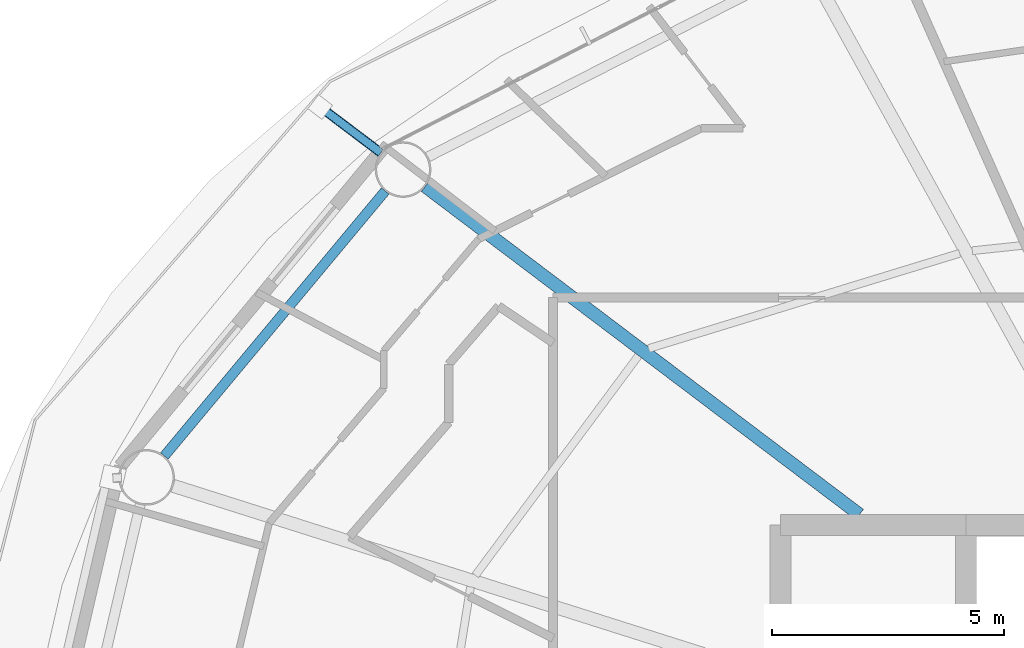
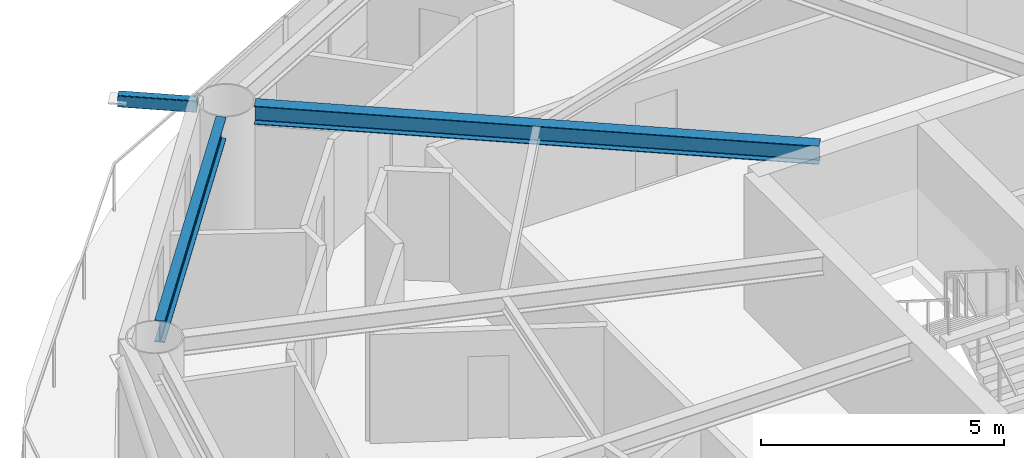
# One storey, part 10 of 27: 2 beams, 1 member.
"""IFC4 building model written with IfcOpenShell, lengths in metres."""

import ifcopenshell
import ifcopenshell.guid

model = None  # the IFC model being written
_history = None  # IfcOwnerHistory: only IFC2X3 demands one
_inside = {}  # id of a spatial element -> (the spatial element, [elements in it])
_under = {}  # id of a project, library or spatial element -> (it, [spatial elements below it])
_declared = {}  # id of a project -> (the project, [libraries it declares])
_typed = {}  # id of a type object -> (the type object, [elements of that type])
_made_of = {}  # id of a material, layer set ... -> (it, [elements and type objects made of it])


def new_model(schema):
    """Start an empty IFC model of exactly this schema.

    Asked for "IFC4X3", IfcOpenShell would pick the latest addendum, in which some entities
    have other attributes; the version numbers below select the first issue.
    IFC2X3 requires an IfcOwnerHistory on every rooted entity: one is made here for all.
    """
    global model, _history
    if schema == "IFC4X3":
        model = ifcopenshell.file(schema_version=(4, 3, 0, 0))
    else:
        model = ifcopenshell.file(schema=schema)
    _inside.clear()
    _under.clear()
    _declared.clear()
    _typed.clear()
    _made_of.clear()
    _history = None
    if model.schema == "IFC2X3":
        org = make("IfcOrganization", Name="unknown")
        user = make(
            "IfcPersonAndOrganization",
            ThePerson=make("IfcPerson", FamilyName="unknown"),
            TheOrganization=org,
        )
        app = make(
            "IfcApplication",
            ApplicationDeveloper=org,
            Version="unknown",
            ApplicationFullName="unknown",
            ApplicationIdentifier="unknown",
        )
        _history = make(
            "IfcOwnerHistory",
            OwningUser=user,
            OwningApplication=app,
            ChangeAction="ADDED",
            CreationDate=0,
        )
    return model


def make(cls, **values):
    """One entity of the class cls with the attributes given. An attribute that is None is left unset."""
    return model.create_entity(
        cls, **{name: value for name, value in values.items() if value is not None}
    )


def rooted(cls, **values):
    """An entity with a GlobalId (a new one), such as an element, a storey or a relation."""
    return make(cls, GlobalId=ifcopenshell.guid.new(), OwnerHistory=_history, **values)


def si_unit(unit_type, name, prefix=None):
    """IfcSIUnit, for example si_unit("LENGTHUNIT", "METRE", prefix="MILLI")."""
    return make("IfcSIUnit", UnitType=unit_type, Prefix=prefix, Name=name)


def assignment(units):
    """IfcUnitAssignment: the units of a project."""
    return None if units is None else make("IfcUnitAssignment", Units=units)


def point(xyz):
    """IfcCartesianPoint."""
    return None if xyz is None else make("IfcCartesianPoint", Coordinates=xyz)


def direction(xyz):
    """IfcDirection."""
    return None if xyz is None else make("IfcDirection", DirectionRatios=xyz)


def frame(location, z_axis=None, x_axis=None):
    """IfcAxis2Placement3D, a coordinate frame: its origin and axes. An axis left out is left unset."""
    return make(
        "IfcAxis2Placement3D",
        Location=point(location),
        Axis=direction(z_axis),
        RefDirection=direction(x_axis),
    )


def frame_2d(location, x_axis=None):
    """IfcAxis2Placement2D, a coordinate frame in the plane: its origin and x axis."""
    return make(
        "IfcAxis2Placement2D", Location=point(location), RefDirection=direction(x_axis)
    )


def origin():
    """The frame at (0, 0, 0) with its axes left unset."""
    return frame((0.0, 0.0, 0.0))


def origin_2d():
    """The frame at (0, 0) in the plane with its x axis left unset."""
    return frame_2d((0.0, 0.0))


def place(relative_to, where):
    """IfcLocalPlacement: puts the frame where relative to a parent placement (None: the world)."""
    return make(
        "IfcLocalPlacement", PlacementRelTo=relative_to, RelativePlacement=where
    )


def context(
    kind, dimensions, precision=None, world=None, true_north=None, identifier=None
):
    """IfcGeometricRepresentationContext, for example the 3D "Model" context."""
    return make(
        "IfcGeometricRepresentationContext",
        ContextIdentifier=identifier,
        ContextType=kind,
        CoordinateSpaceDimension=dimensions,
        Precision=precision,
        WorldCoordinateSystem=world,
        TrueNorth=true_north,
    )


def subcontext(parent, identifier, kind, view, scale=None):
    """IfcGeometricRepresentationSubContext, for example "Body" below "Model"."""
    return make(
        "IfcGeometricRepresentationSubContext",
        ContextIdentifier=identifier,
        ContextType=kind,
        ParentContext=parent,
        TargetScale=scale,
        TargetView=view,
    )


def project(units=None, contexts=None):
    """IfcProject with its units and contexts."""
    return rooted(
        "IfcProject",
        Name="project",
        RepresentationContexts=contexts,
        UnitsInContext=assignment(units),
    )


def spatial(cls, under=None, at=None, **own):
    """A site, building, storey or space (cls), placed at a placement, below another one or the project."""
    s = rooted(cls, ObjectPlacement=at, **own)
    if under is not None:
        _under.setdefault(under.id(), (under, []))[1].append(s)
    return s


def profile(cls, at=None, kind="AREA", **sizes):
    """A parametric profile (cls). Its sizes go by their IFC names, for example OverallWidth=200.0."""
    return make(cls, ProfileType=kind, Position=at, **sizes)


def hollow_rectangle(**sizes):
    """IfcRectangleHollowProfileDef."""
    return profile("IfcRectangleHollowProfileDef", **sizes)


def i_section(**sizes):
    """IfcIShapeProfileDef."""
    return profile("IfcIShapeProfileDef", **sizes)


def extrude(swept, where, along, depth):
    """IfcExtrudedAreaSolid: the profile swept, set in the frame where, extruded along a direction by depth."""
    return make(
        "IfcExtrudedAreaSolid",
        SweptArea=swept,
        Position=where,
        ExtrudedDirection=direction(along),
        Depth=depth,
    )


def shape(context_of_items, identifier, shape_type, items):
    """IfcShapeRepresentation: the items that make up one representation, for example the "Body"."""
    return make(
        "IfcShapeRepresentation",
        ContextOfItems=context_of_items,
        RepresentationIdentifier=identifier,
        RepresentationType=shape_type,
        Items=items,
    )


def material(Name=None, Category=None):
    """IfcMaterial."""
    return make("IfcMaterial", Name=Name, Category=Category)


def material_profile(
    of_material, cross_section, Name=None, Category=None, Priority=None
):
    """IfcMaterialProfile: a cross section and its material."""
    return make(
        "IfcMaterialProfile",
        Name=Name,
        Material=of_material,
        Profile=cross_section,
        Priority=Priority,
        Category=Category,
    )


def profile_set(profiles, Name=None, composite=None):
    """IfcMaterialProfileSet."""
    return make(
        "IfcMaterialProfileSet",
        Name=Name,
        MaterialProfiles=profiles,
        CompositeProfile=composite,
    )


def made_of(thing, what):
    """Note that an element or type object is made of a material, layer set ...; save() writes the relation."""
    if what is not None:
        _made_of.setdefault(what.id(), (what, []))[1].append(thing)
    return thing


def type_object(cls, material=None, **own):
    """A type object (cls), such as IfcWallType, which elements share."""
    return made_of(rooted(cls, **own), material)


def element(
    cls,
    number,
    at=None,
    inside=None,
    cuts=None,
    type_object=None,
    material=None,
    context=None,
    identifier="Body",
    shape_type=None,
    held_by="IfcProductDefinitionShape",
    body=None,
    shapes=None,
    **own,
):
    """One element of the class cls, such as IfcWall. Its Tag is "e" and its number.

    at: its placement. inside: the storey or other place that contains it. cuts: it is an
    opening in that element (IfcRelVoidsElement). A single representation is given by context,
    identifier, shape_type and body (its items); several are given by shapes. held_by: the class
    of the entity that holds the representations. save() writes the other relations.
    """
    e = rooted(cls, Tag="e%d" % number, ObjectPlacement=at, **own)
    if body is not None:
        shapes = [shape(context, identifier, shape_type, body)]
    if shapes is not None:
        e.Representation = make(held_by, Representations=shapes)
    if inside is not None:
        _inside.setdefault(inside.id(), (inside, []))[1].append(e)
    if cuts is not None:
        rooted(
            "IfcRelVoidsElement", RelatingBuildingElement=cuts, RelatedOpeningElement=e
        )
    if type_object is not None:
        _typed.setdefault(type_object.id(), (type_object, []))[1].append(e)
    return made_of(e, material)


def aggregate(whole, parts):
    """IfcRelAggregates: a whole, such as a stair, and the parts it consists of."""
    return rooted("IfcRelAggregates", RelatingObject=whole, RelatedObjects=parts)


def save(model, path):
    """Write the relations noted so far, then the file.

    IfcRelAggregates (storeys below a building ...), IfcRelContainedInSpatialStructure (elements
    in a storey), IfcRelDefinesByType, IfcRelAssociatesMaterial and IfcRelDeclares: one each for
    every whole, place, type object, material and project.
    """
    for whole, parts in _under.values():
        aggregate(whole, parts)
    for where, things in _inside.values():
        rooted(
            "IfcRelContainedInSpatialStructure",
            RelatedElements=things,
            RelatingStructure=where,
        )
    for kind, things in _typed.values():
        rooted("IfcRelDefinesByType", RelatedObjects=things, RelatingType=kind)
    for what, things in _made_of.values():
        rooted("IfcRelAssociatesMaterial", RelatedObjects=things, RelatingMaterial=what)
    for by, libraries in _declared.values():
        rooted("IfcRelDeclares", RelatingContext=by, RelatedDefinitions=libraries)
    model.write(path)


model = new_model("IFC4")

# Units and contexts
model_context = context("Model", 3, precision=1e-05, world=origin(), true_north=direction((0.0, 1.0)))
body_context = subcontext(model_context, "Body", "Model", "MODEL_VIEW")
ifc_project = project(units=[si_unit("LENGTHUNIT", "METRE"), si_unit("AREAUNIT", "SQUARE_METRE"), si_unit("VOLUMEUNIT", "CUBIC_METRE"), si_unit("PLANEANGLEUNIT", "RADIAN"), si_unit("MASSUNIT", "GRAM", prefix="KILO")], contexts=[model_context])

# Site, building, storey
site_placement = place(None, origin())
site = spatial("IfcSite", under=ifc_project, at=site_placement, CompositionType="ELEMENT")
building_placement = place(site_placement, origin())
building = spatial("IfcBuilding", under=site, at=building_placement, Name="Sarneth Arch Tower", CompositionType="ELEMENT")
storey_placement = place(building_placement, frame((0.0, 0.0, 193.800048828125)))
storey = spatial("IfcBuildingStorey", under=building, at=storey_placement, Name="L49", CompositionType="ELEMENT", Elevation=193.800048828125)

# Beams
ifc_material_1 = material(Name="Steel S355", Category="steel")
ifc_material_profile_1 = material_profile(ifc_material_1, i_section(OverallWidth=0.280029296875, OverallDepth=0.462890625, WebThickness=0.0107421875, FlangeThickness=0.017333984375, FilletRadius=0.01806640625, at=origin_2d()), Name="W460x113")
ifc_profile_set_1 = profile_set([ifc_material_profile_1], Name="Steel S355")
beam_type_1 = type_object("IfcBeamType", Name="BM-RAD-460A", PredefinedType="BEAM", material=ifc_profile_set_1)
beam_1_placement = place(storey_placement, frame((38.70458984375, 49.02490234375, 3.1484375), z_axis=(-0.797784574467, 0.602942594898, 0.0), x_axis=(-0.602942594898, -0.797784574467, 0.0)))
element("IfcBeam", 1, at=beam_1_placement, inside=storey, type_object=beam_type_1, Name="L49 Radial floor girder 07", PredefinedType="BEAM", context=body_context, shape_type="SweptSolid", body=[
    extrude(i_section(OverallWidth=0.280029296875, OverallDepth=0.462890625, WebThickness=0.0107421875, FlangeThickness=0.017333984375, FilletRadius=0.01806640625, at=origin_2d()), origin(), (0.0, 0.0, 1.0), 11.73193359375),
])
ifc_material_2 = material(Name="Steel S355", Category="steel")
ifc_material_profile_2 = material_profile(ifc_material_2, i_section(OverallWidth=0.214111328125, OverallDepth=0.549072265625, WebThickness=0.0146484375, FlangeThickness=0.023681640625, FilletRadius=0.01806640625, at=origin_2d()), Name="W530x138")
ifc_profile_set_2 = profile_set([ifc_material_profile_2], Name="Steel S355")
beam_type_2 = type_object("IfcBeamType", Name="BM-RAD-530A", PredefinedType="BEAM", material=ifc_profile_set_2)
beam_2_placement = place(storey_placement, frame((28.482177734375, 55.99951171875, 3.10546875), z_axis=(-0.640161793626, -0.768240117399, 0.0), x_axis=(0.768240117399, -0.640161793626, 0.0)))
element("IfcBeam", 2, at=beam_2_placement, inside=storey, type_object=beam_type_2, Name="L49 Perimeter spandrel beam 07", PredefinedType="BEAM", context=body_context, shape_type="SweptSolid", body=[
    extrude(i_section(OverallWidth=0.214111328125, OverallDepth=0.549072265625, WebThickness=0.0146484375, FlangeThickness=0.023681640625, FilletRadius=0.01806640625, at=origin_2d()), origin(), (0.0, 0.0, 1.0), 7.43603515625),
])

# Member
ifc_material_3 = material(Name="Steel S355", Category="steel")
ifc_material_profile_3 = material_profile(ifc_material_3, hollow_rectangle(XDim=0.199951171875, YDim=0.300048828125, WallThickness=0.012451171875, InnerFilletRadius=0.018798828125, OuterFilletRadius=0.03125, at=origin_2d()), Name="RHS300x200x12.5")
ifc_profile_set_3 = profile_set([ifc_material_profile_3], Name="Steel S355")
member_type = type_object("IfcMemberType", Name="MEM-CANT-STRUT", PredefinedType="STRUT", material=ifc_profile_set_3)
member_placement = place(storey_placement, frame((28.387451171875, 56.822021484375, 3.219970703125), z_axis=(-0.797794013816, 0.602930105003, 0.0), x_axis=(-0.602930105003, -0.797794013816, 0.0)))
element("IfcMember", 3, at=member_placement, inside=storey, type_object=member_type, Name="L49 Balcony cantilever bracket 07", PredefinedType="STRUT", context=body_context, shape_type="SweptSolid", body=[
    extrude(hollow_rectangle(XDim=0.199951171875, YDim=0.300048828125, WallThickness=0.012451171875, InnerFilletRadius=0.018798828125, OuterFilletRadius=0.03125, at=origin_2d()), origin(), (0.0, 0.0, 1.0), 1.637451171875),
])

save(model, "model.ifc")
